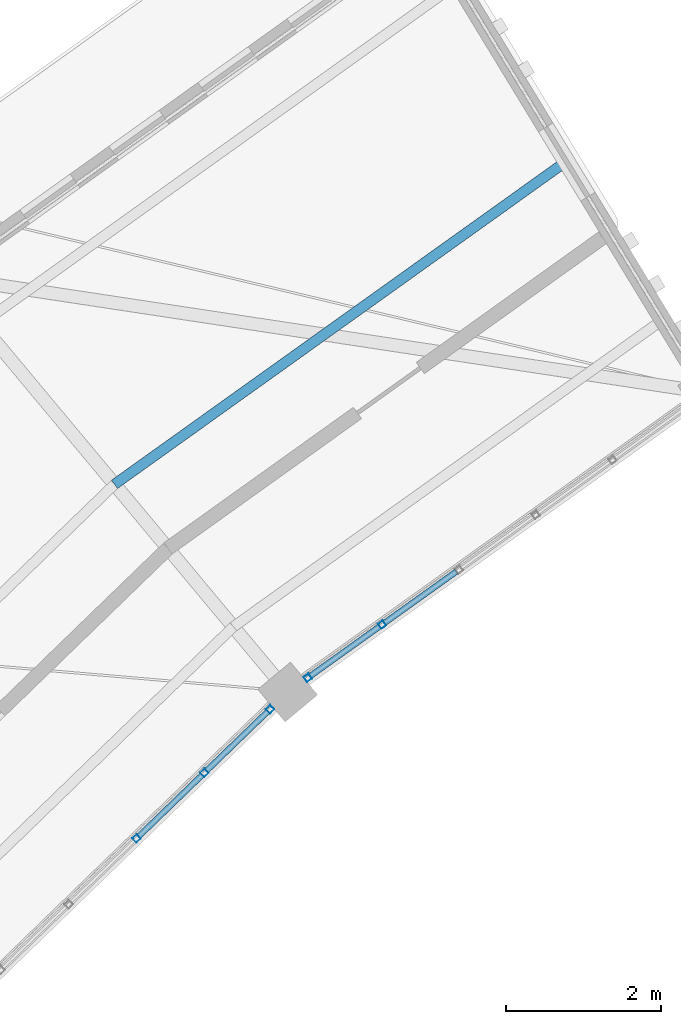
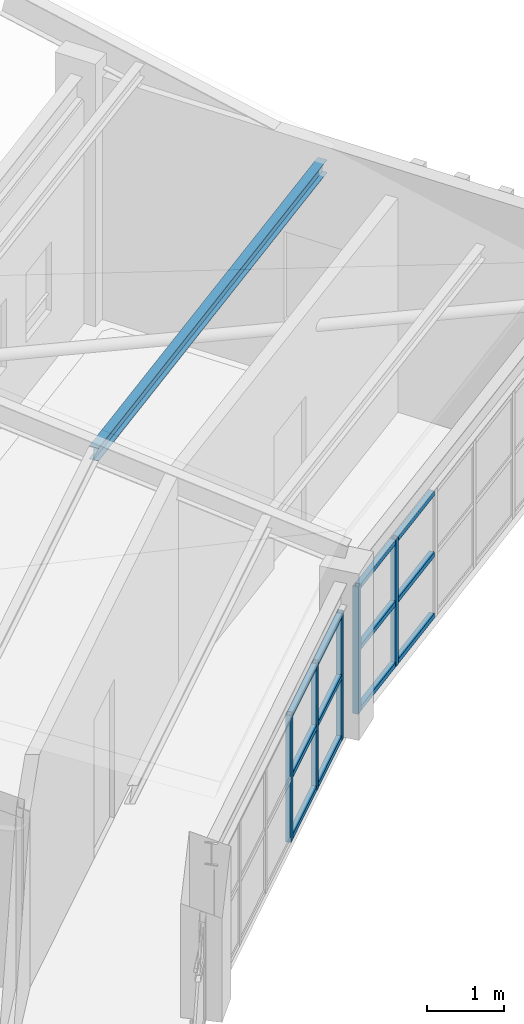
# One storey, part 74 of 149: 18 members, 2 elements without a shape of their own.
"""IFC4 building model written with IfcOpenShell, lengths in metres."""

from ifc_helpers import new_model, si_unit, direction, frame, origin, origin_2d, place, context, subcontext, project, spatial, hollow_rectangle, i_section, extrude, material, material_profile, profile_set, type_object, element, aggregate, save


model = new_model("IFC4")

# Units and contexts
model_context = context("Model", 3, precision=1e-05, world=origin(), true_north=direction((0.0, 1.0)))
body_context = subcontext(model_context, "Body", "Model", "MODEL_VIEW")
ifc_project = project(units=[si_unit("LENGTHUNIT", "METRE"), si_unit("AREAUNIT", "SQUARE_METRE"), si_unit("VOLUMEUNIT", "CUBIC_METRE"), si_unit("PLANEANGLEUNIT", "RADIAN"), si_unit("MASSUNIT", "GRAM", prefix="KILO")], contexts=[model_context])

# Site, building, storey
site_placement = place(None, origin())
site = spatial("IfcSite", under=ifc_project, at=site_placement, CompositionType="ELEMENT")
building_placement = place(site_placement, origin())
building = spatial("IfcBuilding", under=site, at=building_placement, Name="Celadon Cloister-Ring School", CompositionType="ELEMENT")
storey_placement = place(building_placement, frame((0.0, 0.0, 12.5)))
storey = spatial("IfcBuildingStorey", under=building, at=storey_placement, Name="L03", CompositionType="ELEMENT", Elevation=12.5)

# Curtain wall, members
ifc_material_1 = material(Name="Aluminium EN AW-6063 T6", Category="aluminium")
curtain_wall_type = type_object("IfcCurtainWallType", Name="CW-02", PredefinedType="USERDEFINED", material=ifc_material_1)
curtain_wall_1_placement = place(storey_placement, origin())
curtain_wall_1 = element("IfcCurtainWall", 1, at=curtain_wall_1_placement, inside=storey, type_object=curtain_wall_type, Name="Curtain Wall 0044", ObjectType="CURTAIN WALL", PredefinedType="USERDEFINED")
ifc_material_2 = material(Name="Aluminium EN AW-6063 T6", Category="aluminium")
ifc_material_profile_1 = material_profile(ifc_material_2, hollow_rectangle(XDim=0.080078125, YDim=0.080078125, WallThickness=0.00390625, at=origin_2d()), Name="RHS80X80X4")
ifc_profile_set_1 = profile_set([ifc_material_profile_1], Name="Aluminium EN AW-6063 T6")
member_type_1 = type_object("IfcMemberType", Name="CM-03", PredefinedType="MULLION", material=ifc_profile_set_1)
member_1_placement = place(storey_placement, frame((59.40576171875, 94.4375, 0.0), z_axis=(0.0, 0.0, 1.0), x_axis=(0.581640746221, -0.813445783279, 0.0)))
member_1 = element("IfcMember", 2, at=member_1_placement, type_object=member_type_1, Name="CW-02 mullion 5", PredefinedType="MULLION", context=body_context, shape_type="SweptSolid", body=[
    extrude(hollow_rectangle(XDim=0.080078125, YDim=0.080078125, WallThickness=0.00390625, at=origin_2d()), origin(), (0.0, 0.0, 1.0), 2.02001953125),
])
member_2_placement = place(storey_placement, frame((58.444580078125, 93.750244140625, 0.0), z_axis=(0.0, 0.0, 1.0), x_axis=(0.581640746221, -0.813445783279, 0.0)))
member_2 = element("IfcMember", 3, at=member_2_placement, type_object=member_type_1, Name="CW-02 mullion 6", PredefinedType="MULLION", context=body_context, shape_type="SweptSolid", body=[
    extrude(hollow_rectangle(XDim=0.080078125, YDim=0.080078125, WallThickness=0.00390625, at=origin_2d()), origin(), (0.0, 0.0, 1.0), 2.02001953125),
])

curtain_wall_2_placement = place(storey_placement, origin())
curtain_wall_2 = element("IfcCurtainWall", 4, at=curtain_wall_2_placement, inside=storey, type_object=curtain_wall_type, Name="Curtain Wall 0045", ObjectType="CURTAIN WALL", PredefinedType="USERDEFINED")
member_3_placement = place(storey_placement, frame((57.956298828125, 93.34326171875, 0.0), z_axis=(0.0, 0.0, 1.0), x_axis=(0.695473229624, -0.718552007078, 0.0)))
member_3 = element("IfcMember", 5, at=member_3_placement, type_object=member_type_1, Name="CW-02 mullion 1", PredefinedType="MULLION", context=body_context, shape_type="SweptSolid", body=[
    extrude(hollow_rectangle(XDim=0.080078125, YDim=0.080078125, WallThickness=0.00390625, at=origin_2d()), origin(), (0.0, 0.0, 1.0), 2.02001953125),
])
member_4_placement = place(storey_placement, frame((57.10693359375, 92.521240234375, 0.0), z_axis=(0.0, 0.0, 1.0), x_axis=(0.695473229624, -0.718552007078, 0.0)))
member_4 = element("IfcMember", 6, at=member_4_placement, type_object=member_type_1, Name="CW-02 mullion 2", PredefinedType="MULLION", context=body_context, shape_type="SweptSolid", body=[
    extrude(hollow_rectangle(XDim=0.080078125, YDim=0.080078125, WallThickness=0.00390625, at=origin_2d()), origin(), (0.0, 0.0, 1.0), 2.02001953125),
])
member_5_placement = place(storey_placement, frame((56.22900390625, 91.67138671875, 0.0), z_axis=(0.0, 0.0, 1.0), x_axis=(0.695473229624, -0.718552007078, 0.0)))
member_5 = element("IfcMember", 7, at=member_5_placement, type_object=member_type_1, Name="CW-02 mullion 3", PredefinedType="MULLION", context=body_context, shape_type="SweptSolid", body=[
    extrude(hollow_rectangle(XDim=0.080078125, YDim=0.080078125, WallThickness=0.00390625, at=origin_2d()), origin(), (0.0, 0.0, 1.0), 2.02001953125),
])

# Member
ifc_material_3 = material(Name="Aluminium EN AW-6063 T6", Category="aluminium")
ifc_material_profile_2 = material_profile(ifc_material_3, hollow_rectangle(XDim=0.074951171875, YDim=0.074951171875, WallThickness=0.00390625, at=origin_2d()), Name="RHS75X75X4")
ifc_profile_set_2 = profile_set([ifc_material_profile_2], Name="Aluminium EN AW-6063 T6")
member_type_2 = type_object("IfcMemberType", Name="CTM-03", PredefinedType="USERDEFINED", material=ifc_profile_set_2)
member_6_placement = place(storey_placement, frame((60.366943359375, 95.125, 0.03759765625), z_axis=(-0.813444398719, -0.581642682575, 0.0), x_axis=(0.581642682575, -0.813444398719, 0.0)))
member_6 = element("IfcMember", 8, at=member_6_placement, type_object=member_type_2, Name="CW-02 transom 4.1", ObjectType="TRANSOM", PredefinedType="USERDEFINED", context=body_context, shape_type="SweptSolid", body=[
    extrude(hollow_rectangle(XDim=0.074951171875, YDim=0.074951171875, WallThickness=0.00390625, at=origin_2d()), origin(), (0.0, 0.0, 1.0), 1.1416015625),
])

member_7_placement = place(storey_placement, frame((60.366943359375, 95.125, 1.010009765625), z_axis=(-0.813444398719, -0.581642682575, 0.0), x_axis=(0.581642682575, -0.813444398719, 0.0)))
member_7 = element("IfcMember", 9, at=member_7_placement, type_object=member_type_2, Name="CW-02 transom 4.2", ObjectType="TRANSOM", PredefinedType="USERDEFINED", context=body_context, shape_type="SweptSolid", body=[
    extrude(hollow_rectangle(XDim=0.074951171875, YDim=0.074951171875, WallThickness=0.00390625, at=origin_2d()), origin(), (0.0, 0.0, 1.0), 1.1416015625),
])

member_8_placement = place(storey_placement, frame((60.366943359375, 95.125, 1.982421875), z_axis=(-0.813444398719, -0.581642682575, 0.0), x_axis=(0.581642682575, -0.813444398719, 0.0)))
member_8 = element("IfcMember", 10, at=member_8_placement, type_object=member_type_2, Name="CW-02 transom 4.3", ObjectType="TRANSOM", PredefinedType="USERDEFINED", context=body_context, shape_type="SweptSolid", body=[
    extrude(hollow_rectangle(XDim=0.074951171875, YDim=0.074951171875, WallThickness=0.00390625, at=origin_2d()), origin(), (0.0, 0.0, 1.0), 1.1416015625),
])

member_9_placement = place(storey_placement, frame((59.373291015625, 94.414306640625, 0.03759765625), z_axis=(-0.813433925731, -0.581657329078, 0.0), x_axis=(0.581657329078, -0.813433925731, 0.0)))
member_9 = element("IfcMember", 11, at=member_9_placement, type_object=member_type_2, Name="CW-02 transom 5.1", ObjectType="TRANSOM", PredefinedType="USERDEFINED", context=body_context, shape_type="SweptSolid", body=[
    extrude(hollow_rectangle(XDim=0.074951171875, YDim=0.074951171875, WallThickness=0.00390625, at=origin_2d()), origin(), (0.0, 0.0, 1.0), 1.101806640625),
])

member_10_placement = place(storey_placement, frame((59.373291015625, 94.414306640625, 1.010009765625), z_axis=(-0.813433925731, -0.581657329078, 0.0), x_axis=(0.581657329078, -0.813433925731, 0.0)))
member_10 = element("IfcMember", 12, at=member_10_placement, type_object=member_type_2, Name="CW-02 transom 5.2", ObjectType="TRANSOM", PredefinedType="USERDEFINED", context=body_context, shape_type="SweptSolid", body=[
    extrude(hollow_rectangle(XDim=0.074951171875, YDim=0.074951171875, WallThickness=0.00390625, at=origin_2d()), origin(), (0.0, 0.0, 1.0), 1.101806640625),
])

member_11_placement = place(storey_placement, frame((59.373291015625, 94.414306640625, 1.982421875), z_axis=(-0.813433925731, -0.581657329078, 0.0), x_axis=(0.581657329078, -0.813433925731, 0.0)))
member_11 = element("IfcMember", 13, at=member_11_placement, type_object=member_type_2, Name="CW-02 transom 5.3", ObjectType="TRANSOM", PredefinedType="USERDEFINED", context=body_context, shape_type="SweptSolid", body=[
    extrude(hollow_rectangle(XDim=0.074951171875, YDim=0.074951171875, WallThickness=0.00390625, at=origin_2d()), origin(), (0.0, 0.0, 1.0), 1.101806640625),
])

aggregate(curtain_wall_1, [member_1, member_2, member_6, member_7, member_8, member_9, member_10, member_11])

member_12_placement = place(storey_placement, frame((57.927490234375, 93.3154296875, 0.03759765625), z_axis=(-0.718534275975, -0.695491548654, 0.0), x_axis=(0.695491548654, -0.718534275975, 0.0)))
member_12 = element("IfcMember", 14, at=member_12_placement, type_object=member_type_2, Name="CW-02 transom 1.1", ObjectType="TRANSOM", PredefinedType="USERDEFINED", context=body_context, shape_type="SweptSolid", body=[
    extrude(hollow_rectangle(XDim=0.074951171875, YDim=0.074951171875, WallThickness=0.00390625, at=origin_2d()), origin(), (0.0, 0.0, 1.0), 1.101806640625),
])

member_13_placement = place(storey_placement, frame((57.927490234375, 93.3154296875, 1.010009765625), z_axis=(-0.718534275975, -0.695491548654, 0.0), x_axis=(0.695491548654, -0.718534275975, 0.0)))
member_13 = element("IfcMember", 15, at=member_13_placement, type_object=member_type_2, Name="CW-02 transom 1.2", ObjectType="TRANSOM", PredefinedType="USERDEFINED", context=body_context, shape_type="SweptSolid", body=[
    extrude(hollow_rectangle(XDim=0.074951171875, YDim=0.074951171875, WallThickness=0.00390625, at=origin_2d()), origin(), (0.0, 0.0, 1.0), 1.101806640625),
])

member_14_placement = place(storey_placement, frame((57.927490234375, 93.3154296875, 1.982421875), z_axis=(-0.718534275975, -0.695491548654, 0.0), x_axis=(0.695491548654, -0.718534275975, 0.0)))
member_14 = element("IfcMember", 16, at=member_14_placement, type_object=member_type_2, Name="CW-02 transom 1.3", ObjectType="TRANSOM", PredefinedType="USERDEFINED", context=body_context, shape_type="SweptSolid", body=[
    extrude(hollow_rectangle(XDim=0.074951171875, YDim=0.074951171875, WallThickness=0.00390625, at=origin_2d()), origin(), (0.0, 0.0, 1.0), 1.101806640625),
])

member_15_placement = place(storey_placement, frame((57.078369140625, 92.493408203125, 0.03759765625), z_axis=(-0.718557336857, -0.695467722938, 0.0), x_axis=(0.695467722938, -0.718557336857, 0.0)))
member_15 = element("IfcMember", 17, at=member_15_placement, type_object=member_type_2, Name="CW-02 transom 2.1", ObjectType="TRANSOM", PredefinedType="USERDEFINED", context=body_context, shape_type="SweptSolid", body=[
    extrude(hollow_rectangle(XDim=0.074951171875, YDim=0.074951171875, WallThickness=0.00390625, at=origin_2d()), origin(), (0.0, 0.0, 1.0), 1.141845703125),
])

member_16_placement = place(storey_placement, frame((57.078369140625, 92.493408203125, 1.010009765625), z_axis=(-0.718557336857, -0.695467722938, 0.0), x_axis=(0.695467722938, -0.718557336857, 0.0)))
member_16 = element("IfcMember", 18, at=member_16_placement, type_object=member_type_2, Name="CW-02 transom 2.2", ObjectType="TRANSOM", PredefinedType="USERDEFINED", context=body_context, shape_type="SweptSolid", body=[
    extrude(hollow_rectangle(XDim=0.074951171875, YDim=0.074951171875, WallThickness=0.00390625, at=origin_2d()), origin(), (0.0, 0.0, 1.0), 1.141845703125),
])

member_17_placement = place(storey_placement, frame((57.078369140625, 92.493408203125, 1.982421875), z_axis=(-0.718557336857, -0.695467722938, 0.0), x_axis=(0.695467722938, -0.718557336857, 0.0)))
member_17 = element("IfcMember", 19, at=member_17_placement, type_object=member_type_2, Name="CW-02 transom 2.3", ObjectType="TRANSOM", PredefinedType="USERDEFINED", context=body_context, shape_type="SweptSolid", body=[
    extrude(hollow_rectangle(XDim=0.074951171875, YDim=0.074951171875, WallThickness=0.00390625, at=origin_2d()), origin(), (0.0, 0.0, 1.0), 1.141845703125),
])

aggregate(curtain_wall_2, [member_3, member_4, member_5, member_12, member_13, member_14, member_15, member_16, member_17])

ifc_material_4 = material(Name="Structural steel S355JR", Category="steel")
ifc_material_profile_3 = material_profile(ifc_material_4, i_section(OverallWidth=0.133056640625, OverallDepth=0.20703125, WebThickness=0.005859375, FlangeThickness=0.00830078125, at=origin_2d()), Name="W200X27")
ifc_profile_set_3 = profile_set([ifc_material_profile_3], Name="Structural steel S355JR")
member_type_3 = type_object("IfcMemberType", Name="MP-04", PredefinedType="PURLIN", material=ifc_profile_set_3)
member_18_placement = place(storey_placement, frame((61.7890625, 100.431884765625, 3.4599609375), z_axis=(-0.813471664874, -0.581604548166, 0.0), x_axis=(0.581604548166, -0.813471664874, 0.0)))
element("IfcMember", 20, at=member_18_placement, inside=storey, type_object=member_type_3, Name="Structural Member 0076", PredefinedType="PURLIN", context=body_context, shape_type="SweptSolid", body=[
    extrude(i_section(OverallWidth=0.133056640625, OverallDepth=0.20703125, WebThickness=0.005859375, FlangeThickness=0.00830078125, at=origin_2d()), origin(), (0.0, 0.0, 1.0), 7.185302734375),
])

save(model, "model.ifc")
